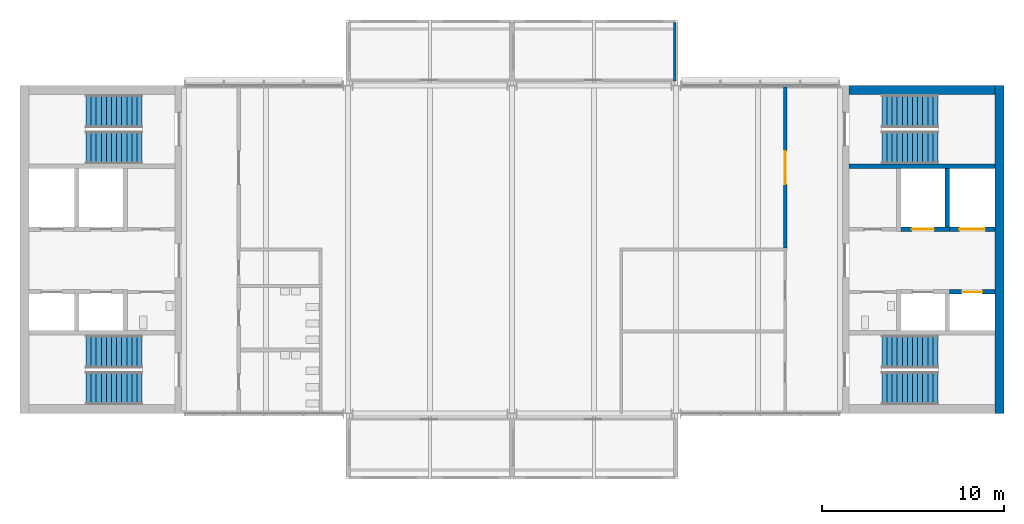
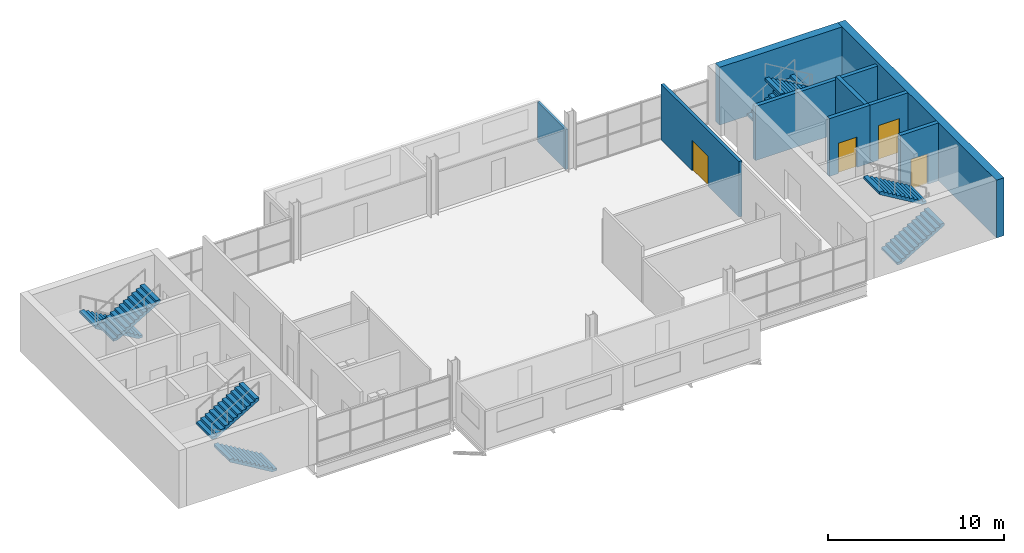
# One storey, part 7 of 10: 9 walls, 8 stair flights, 4 doors, 4 openings, 4 elements without a shape of their own.
"""IFC4 building model written with IfcOpenShell, lengths in metres."""

from ifc_helpers import new_model, si_unit, direction, frame, frame_2d, origin, place, context, subcontext, project, spatial, polyline, rectangle, outline, extrude, material, layer, layer_set, type_object, element, fill, aggregate, save


model = new_model("IFC4")

# Units and contexts
model_context = context("Model", 3, precision=1e-05, world=origin(), true_north=direction((0.0, 1.0)))
body_context = subcontext(model_context, "Body", "Model", "MODEL_VIEW")
ifc_project = project(units=[si_unit("LENGTHUNIT", "METRE"), si_unit("AREAUNIT", "SQUARE_METRE"), si_unit("VOLUMEUNIT", "CUBIC_METRE"), si_unit("PLANEANGLEUNIT", "RADIAN"), si_unit("MASSUNIT", "GRAM", prefix="KILO")], contexts=[model_context])

# Site, building, storey
site_placement = place(None, origin())
site = spatial("IfcSite", under=ifc_project, at=site_placement, CompositionType="ELEMENT")
building_placement = place(site_placement, origin())
building = spatial("IfcBuilding", under=site, at=building_placement, Name="Corbel Yard City Hall", CompositionType="ELEMENT")
storey_placement = place(building_placement, frame((0.0, 0.0, 19.199951171875)))
storey = spatial("IfcBuildingStorey", under=building, at=storey_placement, Name="L04", CompositionType="ELEMENT", Elevation=19.199951171875)

# Wall
ifc_material_1 = material(Name="Concrete N40 (40 MPa)", Category="concrete")
ifc_layer_1 = layer(ifc_material_1, 0.25)
ifc_layer_set_1 = layer_set([ifc_layer_1], Name="Concrete N40 (40 MPa)")
wall_type_1 = type_object("IfcWallType", Name="IW2", PredefinedType="SOLIDWALL", material=ifc_layer_set_1)
wall_1_placement = place(storey_placement, frame((45.5, 112.574951171875, 0.0), z_axis=(0.0, 0.0, 1.0), x_axis=(1.0, 0.0, 0.0)))
element("IfcWall", 1, at=wall_1_placement, inside=storey, type_object=wall_type_1, Name="Stair enclosure wall", PredefinedType="SOLIDWALL", context=body_context, shape_type="SweptSolid", body=[
    extrude(rectangle(XDim=8.0, YDim=0.25, at=frame_2d((4.0, 0.0))), origin(), (0.0, 0.0, 1.0), 3.75),
])

# Wall, opening, door
wall_2_placement = place(storey_placement, frame((51.0, 105.675048828125, 0.0), z_axis=(0.0, 0.0, 1.0), x_axis=(1.0, 0.0, 0.0)))
wall_2 = element("IfcWall", 2, at=wall_2_placement, inside=storey, type_object=wall_type_1, Name="Lift LP26 shaft wall", PredefinedType="SOLIDWALL", context=body_context, shape_type="SweptSolid", body=[
    extrude(rectangle(XDim=2.5, YDim=0.25, at=frame_2d((1.25, 0.0))), origin(), (0.0, 0.0, 1.0), 4.0),
])
opening_1_placement = place(wall_2_placement, frame((0.699951171875, 0.0, 0.0)))
opening_1 = element("IfcOpeningElement", 3, at=opening_1_placement, cuts=wall_2, Name="Opening T1-010", PredefinedType="OPENING", context=body_context, shape_type="SweptSolid", body=[
    extrude(rectangle(XDim=1.10009765625, YDim=2.10009765625, at=frame_2d((0.550048828125, 1.050048828125))), frame((0.0, 0.135009765625, 0.0), z_axis=(0.0, -1.0, 0.0), x_axis=(1.0, 0.0, 0.0)), (0.0, 0.0, 1.0), 0.27001953125),
])
ifc_material_2 = material(Name="Stainless steel Grade 316", Category="steel")
door_type_1 = type_object("IfcDoorType", Name="LD1", OperationType="DOUBLE_DOOR_SLIDING", PredefinedType="DOOR", material=ifc_material_2)
door_1_placement = place(opening_1_placement, origin())
door_1 = element("IfcDoor", 4, at=door_1_placement, inside=storey, type_object=door_type_1, Name="Lift LP26 landing door", OperationType="DOUBLE_DOOR_SLIDING", OverallHeight=2.10009765625, OverallWidth=1.10009765625, PredefinedType="DOOR", context=body_context, shape_type="SweptSolid", body=[
    extrude(rectangle(XDim=1.10009765625, YDim=2.10009765625, at=frame_2d((0.550048828125, 1.050048828125))), frame((0.0, 0.02490234375, 0.0), z_axis=(0.0, -1.0, 0.0), x_axis=(1.0, 0.0, 0.0)), (0.0, 0.0, 1.0), 0.050048828125),
])
fill(opening_1, door_1)

# Wall
wall_3_placement = place(storey_placement, frame((50.875, 109.25, 0.0), z_axis=(0.0, 0.0, 1.0), x_axis=(0.0, 1.0, 0.0)))
element("IfcWall", 5, at=wall_3_placement, inside=storey, type_object=wall_type_1, Name="Lift LF2 shaft wall", PredefinedType="SOLIDWALL", context=body_context, shape_type="SweptSolid", body=[
    extrude(rectangle(XDim=3.199951171875, YDim=0.25, at=frame_2d((1.60009765625, 0.0))), origin(), (0.0, 0.0, 1.0), 4.0),
])

# Wall, opening, door
wall_4_placement = place(storey_placement, frame((48.35009765625, 109.125, 0.0), z_axis=(0.0, 0.0, 1.0), x_axis=(1.0, 0.0, 0.0)))
wall_4 = element("IfcWall", 6, at=wall_4_placement, inside=storey, type_object=wall_type_1, Name="Lift LF2 shaft wall", PredefinedType="SOLIDWALL", context=body_context, shape_type="SweptSolid", body=[
    extrude(rectangle(XDim=2.64990234375, YDim=0.25, at=frame_2d((1.324951171875, 0.0))), origin(), (0.0, 0.0, 1.0), 4.0),
])
opening_2_placement = place(wall_4_placement, frame((0.60009765625, 0.0, 0.0)))
opening_2 = element("IfcOpeningElement", 7, at=opening_2_placement, cuts=wall_4, Name="Opening T1-011", PredefinedType="OPENING", context=body_context, shape_type="SweptSolid", body=[
    extrude(rectangle(XDim=1.199951171875, YDim=2.10009765625, at=frame_2d((0.60009765625, 1.050048828125))), frame((0.0, 0.135009765625, 0.0), z_axis=(0.0, -1.0, 0.0), x_axis=(1.0, 0.0, 0.0)), (0.0, 0.0, 1.0), 0.27001953125),
])
door_type_2 = type_object("IfcDoorType", Name="LD2", OperationType="DOUBLE_DOOR_SLIDING", PredefinedType="DOOR", material=ifc_material_2)
door_2_placement = place(opening_2_placement, origin())
door_2 = element("IfcDoor", 8, at=door_2_placement, inside=storey, type_object=door_type_2, Name="Lift LF2 landing door", OperationType="DOUBLE_DOOR_SLIDING", OverallHeight=2.10009765625, OverallWidth=1.199951171875, PredefinedType="DOOR", context=body_context, shape_type="SweptSolid", body=[
    extrude(rectangle(XDim=1.199951171875, YDim=2.10009765625, at=frame_2d((0.60009765625, 1.050048828125))), frame((0.0, 0.02490234375, 0.0), z_axis=(0.0, -1.0, 0.0), x_axis=(1.0, 0.0, 0.0)), (0.0, 0.0, 1.0), 0.050048828125),
])
fill(opening_2, door_2)

wall_5_placement = place(storey_placement, frame((51.0, 109.125, 0.0), z_axis=(0.0, 0.0, 1.0), x_axis=(1.0, 0.0, 0.0)))
wall_5 = element("IfcWall", 9, at=wall_5_placement, inside=storey, type_object=wall_type_1, Name="Lift LG1 shaft wall", PredefinedType="SOLIDWALL", context=body_context, shape_type="SweptSolid", body=[
    extrude(rectangle(XDim=2.5, YDim=0.25, at=frame_2d((1.25, 0.0))), origin(), (0.0, 0.0, 1.0), 4.0),
])
opening_3_placement = place(wall_5_placement, frame((0.550048828125, 0.0, 0.0)))
opening_3 = element("IfcOpeningElement", 10, at=opening_3_placement, cuts=wall_5, Name="Opening T1-012", PredefinedType="OPENING", context=body_context, shape_type="SweptSolid", body=[
    extrude(rectangle(XDim=1.39990234375, YDim=2.39990234375, at=frame_2d((0.699951171875, 1.199951171875))), frame((0.0, 0.135009765625, 0.0), z_axis=(0.0, -1.0, 0.0), x_axis=(1.0, 0.0, 0.0)), (0.0, 0.0, 1.0), 0.27001953125),
])
door_type_3 = type_object("IfcDoorType", Name="LD3", OperationType="DOUBLE_DOOR_SLIDING", PredefinedType="DOOR", material=ifc_material_2)
door_3_placement = place(opening_3_placement, origin())
door_3 = element("IfcDoor", 11, at=door_3_placement, inside=storey, type_object=door_type_3, Name="Lift LG1 landing door", OperationType="DOUBLE_DOOR_SLIDING", OverallHeight=2.39990234375, OverallWidth=1.39990234375, PredefinedType="DOOR", context=body_context, shape_type="SweptSolid", body=[
    extrude(rectangle(XDim=1.39990234375, YDim=2.39990234375, at=frame_2d((0.699951171875, 1.199951171875))), frame((0.0, 0.02490234375, 0.0), z_axis=(0.0, -1.0, 0.0), x_axis=(1.0, 0.0, 0.0)), (0.0, 0.0, 1.0), 0.050048828125),
])
fill(opening_3, door_3)

# Wall
ifc_material_3 = material(Name="Anodised aluminium", Category="aluminium")
ifc_layer_2 = layer(ifc_material_3, 0.02392578125)
ifc_material_4 = material(Name="Steel Grade G550 (550 MPa yield)", Category="steel")
ifc_layer_3 = layer(ifc_material_4, 0.10009765625)
ifc_material_5 = material(Name="Gypsum plasterboard", Category="gypsum")
ifc_layer_4 = layer(ifc_material_5, 0.02587890625)
ifc_layer_set_2 = layer_set([ifc_layer_2, ifc_layer_3, ifc_layer_4], Name="Steel Grade G550 (550 MPa yield)")
wall_type_2 = type_object("IfcWallType", Name="PD3", PredefinedType="SOLIDWALL", material=ifc_layer_set_2)
wall_6_placement = place(storey_placement, frame((35.925048828125, 120.449951171875, -0.14990234375), z_axis=(0.0, 0.0, 1.0), x_axis=(0.0, -1.0, 0.0)))
element("IfcWall", 12, at=wall_6_placement, inside=storey, type_object=wall_type_2, Name="Pod side wall L04", PredefinedType="SOLIDWALL", context=body_context, shape_type="SweptSolid", body=[
    extrude(rectangle(XDim=3.199951171875, YDim=0.14990234375, at=frame_2d((1.60009765625, 0.0))), origin(), (0.0, 0.0, 1.0), 2.75),
])

# Wall, opening, door
ifc_layer_5 = layer(ifc_material_5, 0.031982421875)
ifc_layer_6 = layer(ifc_material_4, 0.135986328125)
ifc_layer_7 = layer(ifc_material_5, 0.031982421875)
ifc_layer_set_3 = layer_set([ifc_layer_5, ifc_layer_6, ifc_layer_7], Name="Steel Grade G550 (550 MPa yield)")
wall_type_3 = type_object("IfcWallType", Name="PT2", PredefinedType="PARTITIONING", material=ifc_layer_set_3)
wall_7_placement = place(storey_placement, frame((42.0, 108.074951171875, 0.0), z_axis=(0.0, 0.0, 1.0), x_axis=(0.0, 1.0, 0.0)))
wall_7 = element("IfcWall", 13, at=wall_7_placement, inside=storey, type_object=wall_type_3, Name="Acoustic wall", PredefinedType="PARTITIONING", context=body_context, shape_type="SweptSolid", body=[
    extrude(rectangle(XDim=8.8349609375, YDim=0.199951171875, at=frame_2d((4.41748046875, 0.0))), origin(), (0.0, 0.0, 1.0), 3.85009765625),
])
opening_4_placement = place(wall_7_placement, frame((3.52490234375, 0.0, 0.0)))
opening_4 = element("IfcOpeningElement", 14, at=opening_4_placement, cuts=wall_7, Name="Opening T1-017", PredefinedType="OPENING", context=body_context, shape_type="SweptSolid", body=[
    extrude(rectangle(XDim=1.800048828125, YDim=2.10009765625, at=frame_2d((0.89990234375, 1.050048828125))), frame((0.0, 0.10986328125, 0.0), z_axis=(0.0, -1.0, 0.0), x_axis=(1.0, 0.0, 0.0)), (0.0, 0.0, 1.0), 0.219970703125),
])
ifc_material_6 = material(Name="Timber", Category="wood")
door_type_4 = type_object("IfcDoorType", Name="D3", OperationType="DOUBLE_DOOR_SINGLE_SWING", PredefinedType="DOOR", material=ifc_material_6)
door_4_placement = place(opening_4_placement, origin())
door_4 = element("IfcDoor", 15, at=door_4_placement, inside=storey, type_object=door_type_4, Name="Door Open Office 0406", OperationType="DOUBLE_DOOR_SINGLE_SWING", OverallHeight=2.10009765625, OverallWidth=1.800048828125, PredefinedType="DOOR", context=body_context, shape_type="SweptSolid", body=[
    extrude(rectangle(XDim=1.800048828125, YDim=2.10009765625, at=frame_2d((0.89990234375, 1.050048828125))), frame((0.0, 0.02490234375, 0.0), z_axis=(0.0, -1.0, 0.0), x_axis=(1.0, 0.0, 0.0)), (0.0, 0.0, 1.0), 0.050048828125),
])
fill(opening_4, door_4)

# Walls
ifc_material_7 = material(Name="Concrete N50 (50 MPa)", Category="concrete")
ifc_layer_8 = layer(ifc_material_7, 0.5)
ifc_layer_set_4 = layer_set([ifc_layer_8], Name="Concrete N50 (50 MPa)")
wall_type_4 = type_object("IfcWallType", Name="Trunk wall 500", PredefinedType="SHEAR", material=ifc_layer_set_4)
wall_8_placement = place(storey_placement, frame((53.75, 99.0, 0.0), z_axis=(0.0, 0.0, 1.0), x_axis=(0.0, 1.0, 0.0)))
element("IfcWall", 16, at=wall_8_placement, inside=storey, type_object=wall_type_4, Name="Trunk E east wall", PredefinedType="SHEAR", context=body_context, shape_type="SweptSolid", body=[
    extrude(rectangle(XDim=18.0, YDim=0.5, at=frame_2d((9.0, 0.0))), origin(), (0.0, 0.0, 1.0), 4.0),
])
wall_9_placement = place(storey_placement, frame((45.5, 116.75, 0.0), z_axis=(0.0, 0.0, 1.0), x_axis=(1.0, 0.0, 0.0)))
element("IfcWall", 17, at=wall_9_placement, inside=storey, type_object=wall_type_4, Name="Trunk E north wall", PredefinedType="SHEAR", context=body_context, shape_type="SweptSolid", body=[
    extrude(rectangle(XDim=8.0, YDim=0.5, at=frame_2d((4.0, 0.0))), origin(), (0.0, 0.0, 1.0), 4.0),
])

# Stair, stair flights
stair_type = type_object("IfcStairType", Name="ST4", PredefinedType="HALF_TURN_STAIR", material=ifc_material_1)
stair_1_placement = place(storey_placement, origin())
stair_1 = element("IfcStair", 18, at=stair_1_placement, inside=storey, type_object=stair_type, Name="Exit stair ST-W1 L04", PredefinedType="HALF_TURN_STAIR")
stair_flight_type = type_object("IfcStairFlightType", Name="FL4", PredefinedType="STRAIGHT", material=ifc_material_1)
stair_flight_1_placement = place(storey_placement, frame((6.699951171875, 100.39990234375, 0.0), z_axis=(0.0, 0.0, 1.0), x_axis=(-1.0, 0.0, 0.0)))
stair_flight_1 = element("IfcStairFlight", 19, at=stair_flight_1_placement, type_object=stair_flight_type, Name="ST-W1 flight 1", NumberOfRisers=12, NumberOfTreads=11, PredefinedType="STRAIGHT", RiserHeight=0.166667, TreadLength=0.28, context=body_context, shape_type="SweptSolid", body=[
    extrude(outline(polyline([(0.0, 0.0), (0.0, 0.166748046875), (0.280029296875, 0.166748046875), (0.280029296875, 0.333251953125), (0.56005859375, 0.333251953125), (0.56005859375, 0.5), (0.840087890625, 0.5), (0.840087890625, 0.666748046875), (1.1201171875, 0.666748046875), (1.1201171875, 0.833251953125), (1.39990234375, 0.833251953125), (1.39990234375, 1.0), (1.679931640625, 1.0), (1.679931640625, 1.166748046875), (1.9599609375, 1.166748046875), (1.9599609375, 1.333251953125), (2.239990234375, 1.333251953125), (2.239990234375, 1.5), (2.52001953125, 1.5), (2.52001953125, 1.666748046875), (2.800048828125, 1.666748046875), (2.800048828125, 1.833251953125), (3.080078125, 1.833251953125), (3.080078125, 2.0), (3.080078125, 1.658935546875), (0.29296875, 0.0), (0.0, 0.0)])), frame((0.0, 0.89990234375, 0.0), z_axis=(0.0, -1.0, 0.0), x_axis=(1.0, 0.0, 0.0)), (0.0, 0.0, 1.0), 1.800048828125),
])
stair_flight_2_placement = place(storey_placement, frame((3.6201171875, 102.39990234375, 2.0), z_axis=(0.0, 0.0, 1.0), x_axis=(1.0, 0.0, 0.0)))
stair_flight_2 = element("IfcStairFlight", 20, at=stair_flight_2_placement, type_object=stair_flight_type, Name="ST-W1 flight 2", NumberOfRisers=12, NumberOfTreads=11, PredefinedType="STRAIGHT", RiserHeight=0.166667, TreadLength=0.28, context=body_context, shape_type="SweptSolid", body=[
    extrude(outline(polyline([(0.0, 0.0), (0.0, 0.166748046875), (0.280029296875, 0.166748046875), (0.280029296875, 0.333251953125), (0.56005859375, 0.333251953125), (0.56005859375, 0.5), (0.840087890625, 0.5), (0.840087890625, 0.666748046875), (1.1201171875, 0.666748046875), (1.1201171875, 0.833251953125), (1.39990234375, 0.833251953125), (1.39990234375, 1.0), (1.679931640625, 1.0), (1.679931640625, 1.166748046875), (1.9599609375, 1.166748046875), (1.9599609375, 1.333251953125), (2.239990234375, 1.333251953125), (2.239990234375, 1.5), (2.52001953125, 1.5), (2.52001953125, 1.666748046875), (2.800048828125, 1.666748046875), (2.800048828125, 1.833251953125), (3.080078125, 1.833251953125), (3.080078125, 2.0), (3.080078125, 1.658935546875), (0.29296875, 0.0), (0.0, 0.0)])), frame((0.0, 0.89990234375, 0.0), z_axis=(0.0, -1.0, 0.0), x_axis=(1.0, 0.0, 0.0)), (0.0, 0.0, 1.0), 1.800048828125),
])
aggregate(stair_1, [stair_flight_1, stair_flight_2])

stair_2_placement = place(storey_placement, origin())
stair_2 = element("IfcStair", 21, at=stair_2_placement, inside=storey, type_object=stair_type, Name="Exit stair ST-W2 L04", PredefinedType="HALF_TURN_STAIR")
stair_flight_3_placement = place(storey_placement, frame((6.699951171875, 115.60009765625, 0.0), z_axis=(0.0, 0.0, 1.0), x_axis=(-1.0, 0.0, 0.0)))
stair_flight_3 = element("IfcStairFlight", 22, at=stair_flight_3_placement, type_object=stair_flight_type, Name="ST-W2 flight 1", NumberOfRisers=12, NumberOfTreads=11, PredefinedType="STRAIGHT", RiserHeight=0.166667, TreadLength=0.28, context=body_context, shape_type="SweptSolid", body=[
    extrude(outline(polyline([(0.0, 0.0), (0.0, 0.166748046875), (0.280029296875, 0.166748046875), (0.280029296875, 0.333251953125), (0.56005859375, 0.333251953125), (0.56005859375, 0.5), (0.840087890625, 0.5), (0.840087890625, 0.666748046875), (1.1201171875, 0.666748046875), (1.1201171875, 0.833251953125), (1.39990234375, 0.833251953125), (1.39990234375, 1.0), (1.679931640625, 1.0), (1.679931640625, 1.166748046875), (1.9599609375, 1.166748046875), (1.9599609375, 1.333251953125), (2.239990234375, 1.333251953125), (2.239990234375, 1.5), (2.52001953125, 1.5), (2.52001953125, 1.666748046875), (2.800048828125, 1.666748046875), (2.800048828125, 1.833251953125), (3.080078125, 1.833251953125), (3.080078125, 2.0), (3.080078125, 1.658935546875), (0.29296875, 0.0), (0.0, 0.0)])), frame((0.0, 0.89990234375, 0.0), z_axis=(0.0, -1.0, 0.0), x_axis=(1.0, 0.0, 0.0)), (0.0, 0.0, 1.0), 1.800048828125),
])
stair_flight_4_placement = place(storey_placement, frame((3.6201171875, 113.60009765625, 2.0), z_axis=(0.0, 0.0, 1.0), x_axis=(1.0, 0.0, 0.0)))
stair_flight_4 = element("IfcStairFlight", 23, at=stair_flight_4_placement, type_object=stair_flight_type, Name="ST-W2 flight 2", NumberOfRisers=12, NumberOfTreads=11, PredefinedType="STRAIGHT", RiserHeight=0.166667, TreadLength=0.28, context=body_context, shape_type="SweptSolid", body=[
    extrude(outline(polyline([(0.0, 0.0), (0.0, 0.166748046875), (0.280029296875, 0.166748046875), (0.280029296875, 0.333251953125), (0.56005859375, 0.333251953125), (0.56005859375, 0.5), (0.840087890625, 0.5), (0.840087890625, 0.666748046875), (1.1201171875, 0.666748046875), (1.1201171875, 0.833251953125), (1.39990234375, 0.833251953125), (1.39990234375, 1.0), (1.679931640625, 1.0), (1.679931640625, 1.166748046875), (1.9599609375, 1.166748046875), (1.9599609375, 1.333251953125), (2.239990234375, 1.333251953125), (2.239990234375, 1.5), (2.52001953125, 1.5), (2.52001953125, 1.666748046875), (2.800048828125, 1.666748046875), (2.800048828125, 1.833251953125), (3.080078125, 1.833251953125), (3.080078125, 2.0), (3.080078125, 1.658935546875), (0.29296875, 0.0), (0.0, 0.0)])), frame((0.0, 0.89990234375, 0.0), z_axis=(0.0, -1.0, 0.0), x_axis=(1.0, 0.0, 0.0)), (0.0, 0.0, 1.0), 1.800048828125),
])
aggregate(stair_2, [stair_flight_3, stair_flight_4])

stair_3_placement = place(storey_placement, origin())
stair_3 = element("IfcStair", 24, at=stair_3_placement, inside=storey, type_object=stair_type, Name="Exit stair ST-E1 L04", PredefinedType="HALF_TURN_STAIR")
stair_flight_5_placement = place(storey_placement, frame((47.300048828125, 100.39990234375, 0.0), z_axis=(0.0, 0.0, 1.0), x_axis=(1.0, 0.0, 0.0)))
stair_flight_5 = element("IfcStairFlight", 25, at=stair_flight_5_placement, type_object=stair_flight_type, Name="ST-E1 flight 1", NumberOfRisers=12, NumberOfTreads=11, PredefinedType="STRAIGHT", RiserHeight=0.166667, TreadLength=0.28, context=body_context, shape_type="SweptSolid", body=[
    extrude(outline(polyline([(0.0, 0.0), (0.0, 0.166748046875), (0.280029296875, 0.166748046875), (0.280029296875, 0.333251953125), (0.56005859375, 0.333251953125), (0.56005859375, 0.5), (0.840087890625, 0.5), (0.840087890625, 0.666748046875), (1.1201171875, 0.666748046875), (1.1201171875, 0.833251953125), (1.39990234375, 0.833251953125), (1.39990234375, 1.0), (1.679931640625, 1.0), (1.679931640625, 1.166748046875), (1.9599609375, 1.166748046875), (1.9599609375, 1.333251953125), (2.239990234375, 1.333251953125), (2.239990234375, 1.5), (2.52001953125, 1.5), (2.52001953125, 1.666748046875), (2.800048828125, 1.666748046875), (2.800048828125, 1.833251953125), (3.080078125, 1.833251953125), (3.080078125, 2.0), (3.080078125, 1.658935546875), (0.29296875, 0.0), (0.0, 0.0)])), frame((0.0, 0.89990234375, 0.0), z_axis=(0.0, -1.0, 0.0), x_axis=(1.0, 0.0, 0.0)), (0.0, 0.0, 1.0), 1.800048828125),
])
stair_flight_6_placement = place(storey_placement, frame((50.3798828125, 102.39990234375, 2.0), z_axis=(0.0, 0.0, 1.0), x_axis=(-1.0, 0.0, 0.0)))
stair_flight_6 = element("IfcStairFlight", 26, at=stair_flight_6_placement, type_object=stair_flight_type, Name="ST-E1 flight 2", NumberOfRisers=12, NumberOfTreads=11, PredefinedType="STRAIGHT", RiserHeight=0.166667, TreadLength=0.28, context=body_context, shape_type="SweptSolid", body=[
    extrude(outline(polyline([(0.0, 0.0), (0.0, 0.166748046875), (0.280029296875, 0.166748046875), (0.280029296875, 0.333251953125), (0.56005859375, 0.333251953125), (0.56005859375, 0.5), (0.840087890625, 0.5), (0.840087890625, 0.666748046875), (1.1201171875, 0.666748046875), (1.1201171875, 0.833251953125), (1.39990234375, 0.833251953125), (1.39990234375, 1.0), (1.679931640625, 1.0), (1.679931640625, 1.166748046875), (1.9599609375, 1.166748046875), (1.9599609375, 1.333251953125), (2.239990234375, 1.333251953125), (2.239990234375, 1.5), (2.52001953125, 1.5), (2.52001953125, 1.666748046875), (2.800048828125, 1.666748046875), (2.800048828125, 1.833251953125), (3.080078125, 1.833251953125), (3.080078125, 2.0), (3.080078125, 1.658935546875), (0.29296875, 0.0), (0.0, 0.0)])), frame((0.0, 0.89990234375, 0.0), z_axis=(0.0, -1.0, 0.0), x_axis=(1.0, 0.0, 0.0)), (0.0, 0.0, 1.0), 1.800048828125),
])
aggregate(stair_3, [stair_flight_5, stair_flight_6])

stair_4_placement = place(storey_placement, origin())
stair_4 = element("IfcStair", 27, at=stair_4_placement, inside=storey, type_object=stair_type, Name="Exit stair ST-E2 L04", PredefinedType="HALF_TURN_STAIR")
stair_flight_7_placement = place(storey_placement, frame((47.300048828125, 115.60009765625, 0.0), z_axis=(0.0, 0.0, 1.0), x_axis=(1.0, 0.0, 0.0)))
stair_flight_7 = element("IfcStairFlight", 28, at=stair_flight_7_placement, type_object=stair_flight_type, Name="ST-E2 flight 1", NumberOfRisers=12, NumberOfTreads=11, PredefinedType="STRAIGHT", RiserHeight=0.166667, TreadLength=0.28, context=body_context, shape_type="SweptSolid", body=[
    extrude(outline(polyline([(0.0, 0.0), (0.0, 0.166748046875), (0.280029296875, 0.166748046875), (0.280029296875, 0.333251953125), (0.56005859375, 0.333251953125), (0.56005859375, 0.5), (0.840087890625, 0.5), (0.840087890625, 0.666748046875), (1.1201171875, 0.666748046875), (1.1201171875, 0.833251953125), (1.39990234375, 0.833251953125), (1.39990234375, 1.0), (1.679931640625, 1.0), (1.679931640625, 1.166748046875), (1.9599609375, 1.166748046875), (1.9599609375, 1.333251953125), (2.239990234375, 1.333251953125), (2.239990234375, 1.5), (2.52001953125, 1.5), (2.52001953125, 1.666748046875), (2.800048828125, 1.666748046875), (2.800048828125, 1.833251953125), (3.080078125, 1.833251953125), (3.080078125, 2.0), (3.080078125, 1.658935546875), (0.29296875, 0.0), (0.0, 0.0)])), frame((0.0, 0.89990234375, 0.0), z_axis=(0.0, -1.0, 0.0), x_axis=(1.0, 0.0, 0.0)), (0.0, 0.0, 1.0), 1.800048828125),
])
stair_flight_8_placement = place(storey_placement, frame((50.3798828125, 113.60009765625, 2.0), z_axis=(0.0, 0.0, 1.0), x_axis=(-1.0, 0.0, 0.0)))
stair_flight_8 = element("IfcStairFlight", 29, at=stair_flight_8_placement, type_object=stair_flight_type, Name="ST-E2 flight 2", NumberOfRisers=12, NumberOfTreads=11, PredefinedType="STRAIGHT", RiserHeight=0.166667, TreadLength=0.28, context=body_context, shape_type="SweptSolid", body=[
    extrude(outline(polyline([(0.0, 0.0), (0.0, 0.166748046875), (0.280029296875, 0.166748046875), (0.280029296875, 0.333251953125), (0.56005859375, 0.333251953125), (0.56005859375, 0.5), (0.840087890625, 0.5), (0.840087890625, 0.666748046875), (1.1201171875, 0.666748046875), (1.1201171875, 0.833251953125), (1.39990234375, 0.833251953125), (1.39990234375, 1.0), (1.679931640625, 1.0), (1.679931640625, 1.166748046875), (1.9599609375, 1.166748046875), (1.9599609375, 1.333251953125), (2.239990234375, 1.333251953125), (2.239990234375, 1.5), (2.52001953125, 1.5), (2.52001953125, 1.666748046875), (2.800048828125, 1.666748046875), (2.800048828125, 1.833251953125), (3.080078125, 1.833251953125), (3.080078125, 2.0), (3.080078125, 1.658935546875), (0.29296875, 0.0), (0.0, 0.0)])), frame((0.0, 0.89990234375, 0.0), z_axis=(0.0, -1.0, 0.0), x_axis=(1.0, 0.0, 0.0)), (0.0, 0.0, 1.0), 1.800048828125),
])
aggregate(stair_4, [stair_flight_7, stair_flight_8])

save(model, "model.ifc")
